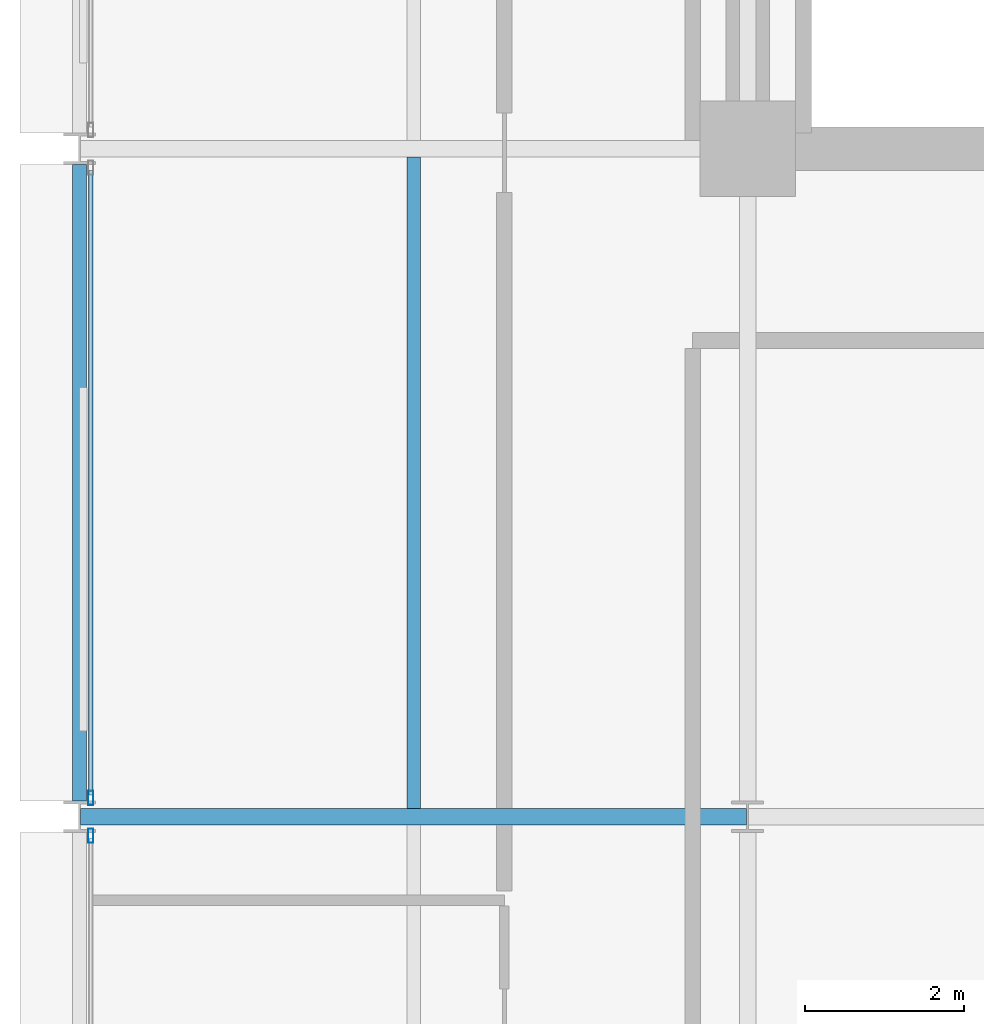
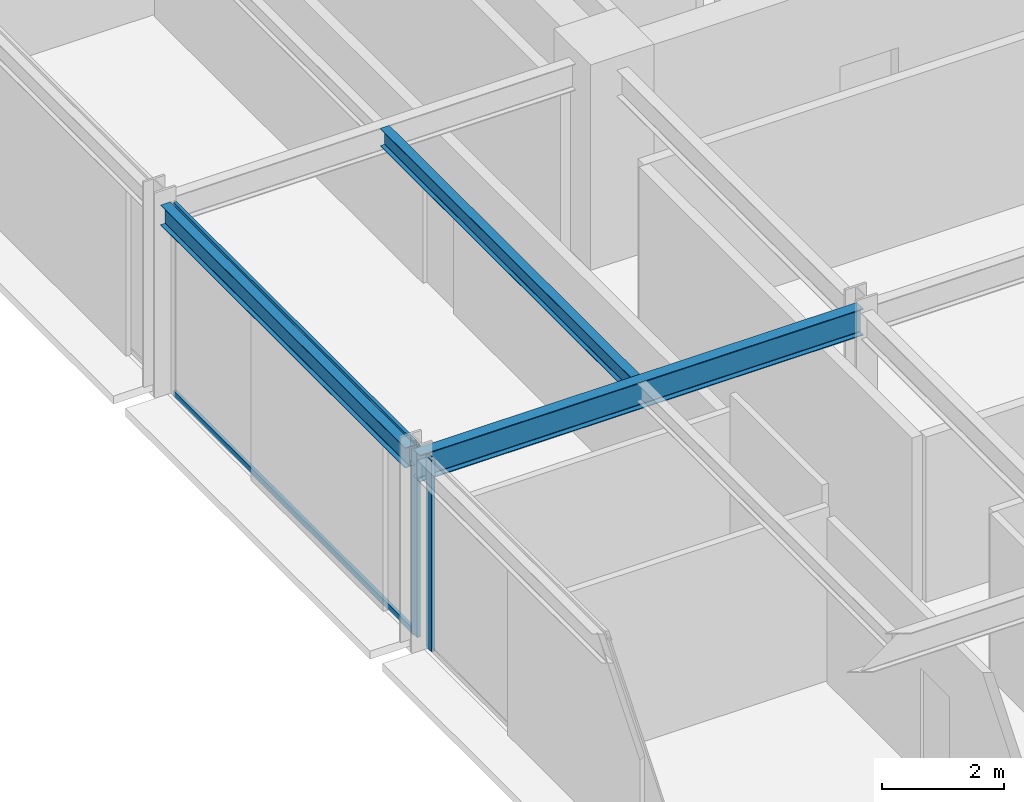
# One storey, part 11 of 39: 4 members, 3 beams, 2 elements without a shape of their own.
"""IFC4 building model written with IfcOpenShell, lengths in metres."""

from ifc_helpers import new_model, si_unit, direction, frame, origin, origin_2d, place, context, subcontext, project, spatial, hollow_rectangle, i_section, extrude, material, layer, layer_set, material_profile, profile_set, type_object, element, aggregate, save


model = new_model("IFC4")

# Units and contexts
model_context = context("Model", 3, precision=1e-05, world=origin(), true_north=direction((0.0, 1.0)))
body_context = subcontext(model_context, "Body", "Model", "MODEL_VIEW")
ifc_project = project(units=[si_unit("LENGTHUNIT", "METRE"), si_unit("AREAUNIT", "SQUARE_METRE"), si_unit("VOLUMEUNIT", "CUBIC_METRE"), si_unit("PLANEANGLEUNIT", "RADIAN"), si_unit("MASSUNIT", "GRAM", prefix="KILO")], contexts=[model_context])

# Site, building, storey
site_placement = place(None, origin())
site = spatial("IfcSite", under=ifc_project, at=site_placement, CompositionType="ELEMENT")
building_placement = place(site_placement, origin())
building = spatial("IfcBuilding", under=site, at=building_placement, Name="Nerrivon Quay Data Exchange", CompositionType="ELEMENT")
storey_placement = place(building_placement, frame((0.0, 0.0, 104.89990234375)))
storey = spatial("IfcBuildingStorey", under=building, at=storey_placement, Name="L24", CompositionType="ELEMENT", Elevation=104.89990234375)

# Beams
ifc_material_1 = material(Name="Steel Grade 350", Category="steel")
ifc_material_profile_1 = material_profile(ifc_material_1, i_section(OverallWidth=0.208984375, OverallDepth=0.532958984375, WebThickness=0.01025390625, FlangeThickness=0.015625, FilletRadius=0.013916015625, at=origin_2d()), Name="530UB92.4")
ifc_profile_set_1 = profile_set([ifc_material_profile_1], Name="Steel Grade 350")
beam_type_1 = type_object("IfcBeamType", Name="BM-G3-530UB92", PredefinedType="BEAM", material=ifc_profile_set_1)
beam_1_placement = place(storey_placement, frame((0.012451171875, 16.800048828125, 3.55859375), z_axis=(1.0, 0.0, 0.0), x_axis=(0.0, 1.0, 0.0)))
element("IfcBeam", 1, at=beam_1_placement, inside=storey, type_object=beam_type_1, Name="L24 EW Girder Y=16.8 (0.0..8.4)", PredefinedType="BEAM", context=body_context, shape_type="SweptSolid", body=[
    extrude(i_section(OverallWidth=0.208984375, OverallDepth=0.532958984375, WebThickness=0.01025390625, FlangeThickness=0.015625, FilletRadius=0.013916015625, at=origin_2d()), origin(), (0.0, 0.0, 1.0), 8.375),
])
ifc_material_profile_2 = material_profile(ifc_material_1, i_section(OverallWidth=0.1708984375, OverallDepth=0.35595703125, WebThickness=0.00732421875, FlangeThickness=0.011474609375, FilletRadius=0.011474609375, at=origin_2d()), Name="360UB50.7")
ifc_profile_set_2 = profile_set([ifc_material_profile_2], Name="Steel Grade 350")
beam_type_2 = type_object("IfcBeamType", Name="BM-J4-360UB51", PredefinedType="JOIST", material=ifc_profile_set_2)
beam_2_placement = place(storey_placement, frame((4.199951171875, 16.904541015625, 3.647216796875), z_axis=(0.0, 1.0, 0.0), x_axis=(-1.0, 0.0, 0.0)))
element("IfcBeam", 2, at=beam_2_placement, inside=storey, type_object=beam_type_2, Name="L24 Secondary Joist X=4.2 (16.8..25.2)", PredefinedType="JOIST", context=body_context, shape_type="SweptSolid", body=[
    extrude(i_section(OverallWidth=0.1708984375, OverallDepth=0.35595703125, WebThickness=0.00732421875, FlangeThickness=0.011474609375, FilletRadius=0.011474609375, at=origin_2d()), origin(), (0.0, 0.0, 1.0), 8.19091796875),
])
ifc_material_profile_3 = material_profile(ifc_material_1, i_section(OverallWidth=0.177978515625, OverallDepth=0.403076171875, WebThickness=0.007568359375, FlangeThickness=0.010986328125, FilletRadius=0.011474609375, at=origin_2d()), Name="410UB53.7")
ifc_profile_set_3 = profile_set([ifc_material_profile_3], Name="Steel Grade 350")
beam_type_3 = type_object("IfcBeamType", Name="BM-SP2-410UB54", PredefinedType="SPANDREL", material=ifc_profile_set_3)
beam_3_placement = place(storey_placement, frame((0.0, 17.0, 3.62353515625), z_axis=(0.0, 1.0, 0.0), x_axis=(-1.0, 0.0, 0.0)))
element("IfcBeam", 3, at=beam_3_placement, inside=storey, type_object=beam_type_3, Name="L24 NS Girder X=0.0 (16.8..25.2)", PredefinedType="SPANDREL", context=body_context, shape_type="SweptSolid", body=[
    extrude(i_section(OverallWidth=0.177978515625, OverallDepth=0.403076171875, WebThickness=0.007568359375, FlangeThickness=0.010986328125, FilletRadius=0.011474609375, at=origin_2d()), origin(), (0.0, 0.0, 1.0), 8.0),
])

# Curtain wall, member
ifc_material_2 = material(Name="Anodised aluminium 6063-T6", Category="aluminium")
ifc_layer = layer(ifc_material_2, 0.2099609375)
ifc_layer_set = layer_set([ifc_layer], Name="Anodised aluminium 6063-T6")
curtain_wall_type = type_object("IfcCurtainWallType", Name="CW-SYS-02", PredefinedType="NOTDEFINED", material=ifc_layer_set)
curtain_wall_1_placement = place(storey_placement, origin())
curtain_wall_1 = element("IfcCurtainWall", 4, at=curtain_wall_1_placement, inside=storey, type_object=curtain_wall_type, Name="L24 Unitised Curtain Wall 18", PredefinedType="NOTDEFINED")
ifc_material_profile_4 = material_profile(ifc_material_2, hollow_rectangle(XDim=0.06494140625, YDim=0.179931640625, WallThickness=0.00341796875, at=origin_2d()), Name="ALU-MULL-180x65")
ifc_profile_set_4 = profile_set([ifc_material_profile_4], Name="Anodised aluminium 6063-T6")
member_type_1 = type_object("IfcMemberType", Name="CWM-180x65", PredefinedType="MULLION", material=ifc_profile_set_4)
member_1_placement = place(storey_placement, frame((0.139892578125, 16.5625, 0.0), z_axis=(0.0, 0.0, 1.0), x_axis=(-1.0, 0.0, 0.0)))
member_1 = element("IfcMember", 5, at=member_1_placement, type_object=member_type_1, Name="CW02 mullion 2", PredefinedType="MULLION", context=body_context, shape_type="SweptSolid", body=[
    extrude(hollow_rectangle(XDim=0.06494140625, YDim=0.179931640625, WallThickness=0.00341796875, at=origin_2d()), origin(), (0.0, 0.0, 1.0), 3.8251953125),
])
aggregate(curtain_wall_1, [member_1])

# Curtain wall, members
curtain_wall_2_placement = place(storey_placement, origin())
curtain_wall_2 = element("IfcCurtainWall", 6, at=curtain_wall_2_placement, inside=storey, type_object=curtain_wall_type, Name="L24 Unitised Curtain Wall 19", PredefinedType="NOTDEFINED")
member_2_placement = place(storey_placement, frame((0.139892578125, 17.03759765625, 0.0), z_axis=(0.0, 0.0, 1.0), x_axis=(-1.0, 0.0, 0.0)))
member_2 = element("IfcMember", 7, at=member_2_placement, type_object=member_type_1, Name="CW02 mullion 1", PredefinedType="MULLION", context=body_context, shape_type="SweptSolid", body=[
    extrude(hollow_rectangle(XDim=0.06494140625, YDim=0.179931640625, WallThickness=0.00341796875, at=origin_2d()), origin(), (0.0, 0.0, 1.0), 3.8251953125),
])
ifc_material_profile_5 = material_profile(ifc_material_2, hollow_rectangle(XDim=0.06005859375, YDim=0.1201171875, WallThickness=0.003173828125, at=origin_2d()), Name="ALU-TRAN-120x60")
ifc_profile_set_5 = profile_set([ifc_material_profile_5], Name="Anodised aluminium 6063-T6")
member_type_2 = type_object("IfcMemberType", Name="CWT-120x60", PredefinedType="USERDEFINED", material=ifc_profile_set_5)
member_3_placement = place(storey_placement, frame((0.139892578125, 17.074951171875, 0.03271484375), z_axis=(0.0, 1.0, 0.0), x_axis=(-1.0, 0.0, 0.0)))
member_3 = element("IfcMember", 8, at=member_3_placement, type_object=member_type_2, Name="CW02 transom 1.1", ObjectType="TRANSOM", PredefinedType="USERDEFINED", context=body_context, shape_type="SweptSolid", body=[
    extrude(hollow_rectangle(XDim=0.06005859375, YDim=0.1201171875, WallThickness=0.003173828125, at=origin_2d()), origin(), (0.0, 0.0, 1.0), 7.85009765625),
])
member_4_placement = place(storey_placement, frame((0.139892578125, 17.074951171875, 3.79248046875), z_axis=(0.0, 1.0, 0.0), x_axis=(-1.0, 0.0, 0.0)))
member_4 = element("IfcMember", 9, at=member_4_placement, type_object=member_type_2, Name="CW02 transom 1.2", ObjectType="TRANSOM", PredefinedType="USERDEFINED", context=body_context, shape_type="SweptSolid", body=[
    extrude(hollow_rectangle(XDim=0.06005859375, YDim=0.1201171875, WallThickness=0.003173828125, at=origin_2d()), origin(), (0.0, 0.0, 1.0), 7.85009765625),
])
aggregate(curtain_wall_2, [member_2, member_3, member_4])

save(model, "model.ifc")
